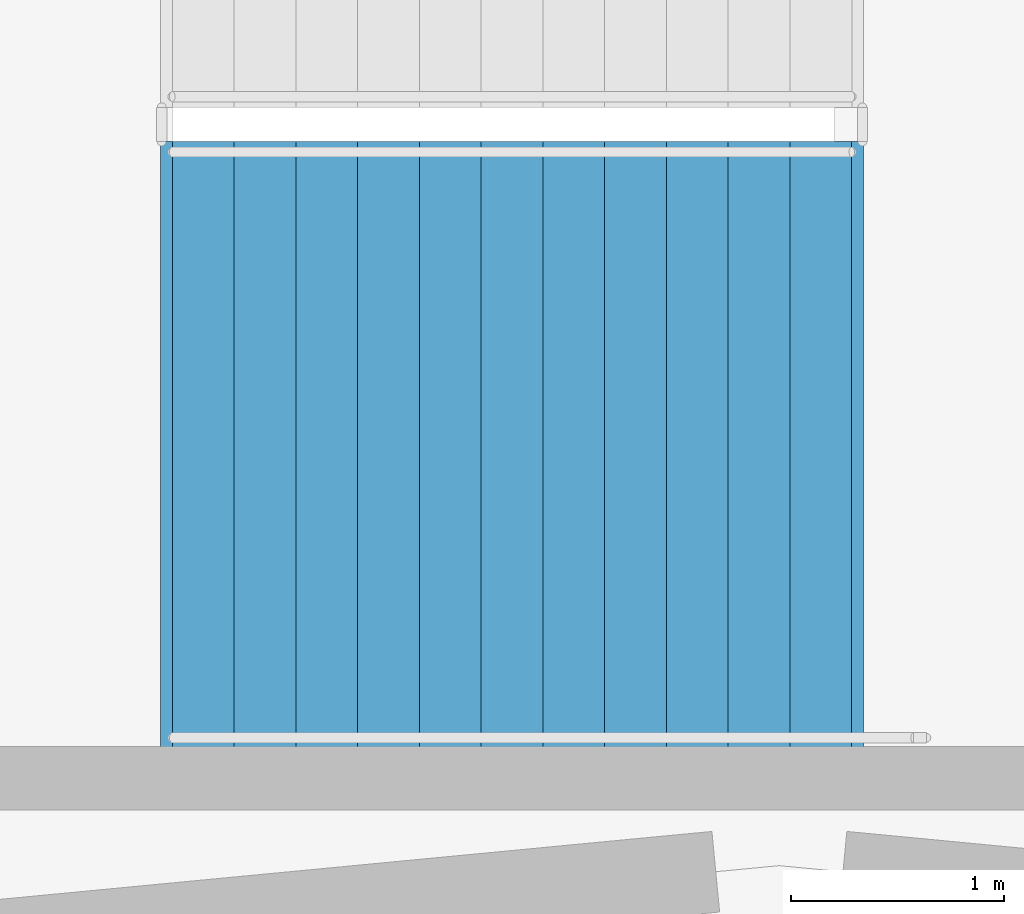
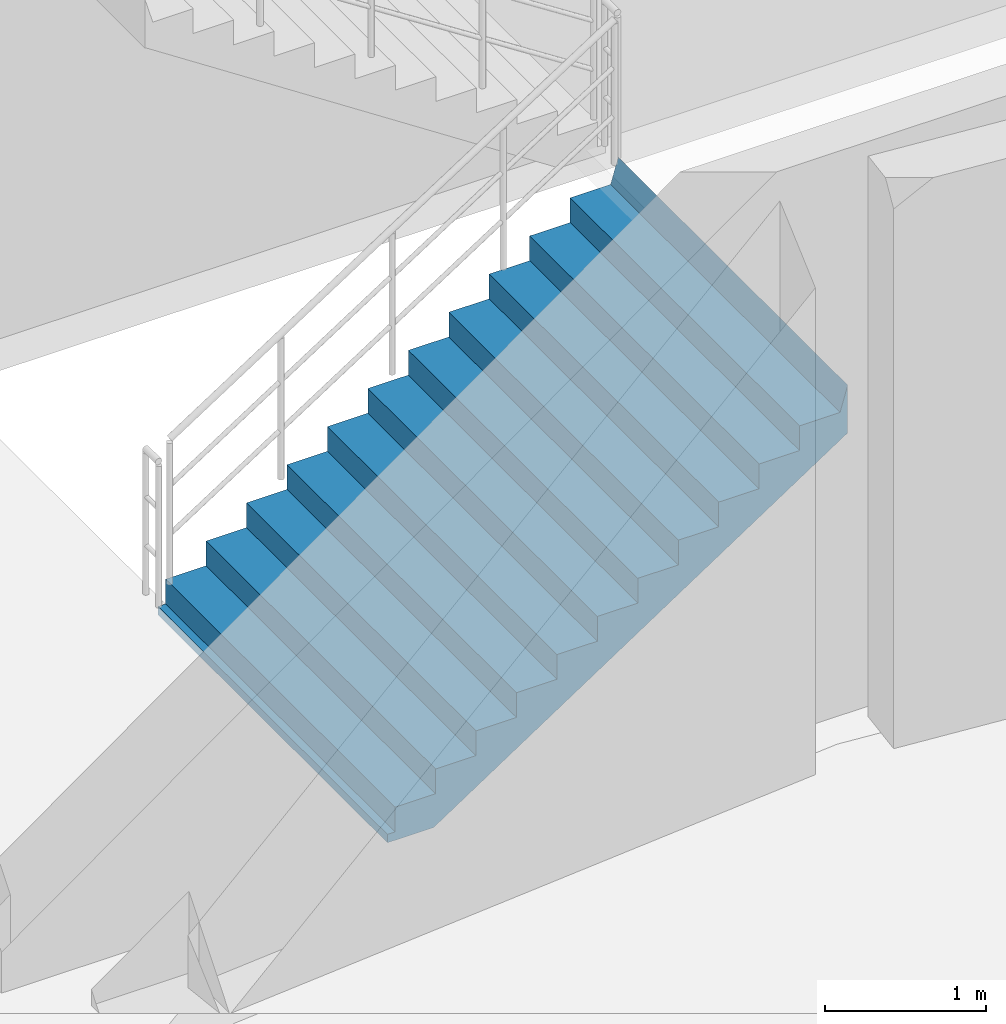
# One storey, part 33 of 45: 1 stair flight, 1 element without a shape of its own.
"""IFC4 building model written with IfcOpenShell, lengths in metres."""

import ifcopenshell
import ifcopenshell.guid

model = None  # the IFC model being written
_history = None  # IfcOwnerHistory: only IFC2X3 demands one
_inside = {}  # id of a spatial element -> (the spatial element, [elements in it])
_under = {}  # id of a project, library or spatial element -> (it, [spatial elements below it])
_declared = {}  # id of a project -> (the project, [libraries it declares])
_typed = {}  # id of a type object -> (the type object, [elements of that type])
_made_of = {}  # id of a material, layer set ... -> (it, [elements and type objects made of it])


def new_model(schema):
    """Start an empty IFC model of exactly this schema.

    Asked for "IFC4X3", IfcOpenShell would pick the latest addendum, in which some entities
    have other attributes; the version numbers below select the first issue.
    IFC2X3 requires an IfcOwnerHistory on every rooted entity: one is made here for all.
    """
    global model, _history
    if schema == "IFC4X3":
        model = ifcopenshell.file(schema_version=(4, 3, 0, 0))
    else:
        model = ifcopenshell.file(schema=schema)
    _inside.clear()
    _under.clear()
    _declared.clear()
    _typed.clear()
    _made_of.clear()
    _history = None
    if model.schema == "IFC2X3":
        org = make("IfcOrganization", Name="unknown")
        user = make(
            "IfcPersonAndOrganization",
            ThePerson=make("IfcPerson", FamilyName="unknown"),
            TheOrganization=org,
        )
        app = make(
            "IfcApplication",
            ApplicationDeveloper=org,
            Version="unknown",
            ApplicationFullName="unknown",
            ApplicationIdentifier="unknown",
        )
        _history = make(
            "IfcOwnerHistory",
            OwningUser=user,
            OwningApplication=app,
            ChangeAction="ADDED",
            CreationDate=0,
        )
    return model


def make(cls, **values):
    """One entity of the class cls with the attributes given. An attribute that is None is left unset."""
    return model.create_entity(
        cls, **{name: value for name, value in values.items() if value is not None}
    )


def rooted(cls, **values):
    """An entity with a GlobalId (a new one), such as an element, a storey or a relation."""
    return make(cls, GlobalId=ifcopenshell.guid.new(), OwnerHistory=_history, **values)


def si_unit(unit_type, name, prefix=None):
    """IfcSIUnit, for example si_unit("LENGTHUNIT", "METRE", prefix="MILLI")."""
    return make("IfcSIUnit", UnitType=unit_type, Prefix=prefix, Name=name)


def assignment(units):
    """IfcUnitAssignment: the units of a project."""
    return None if units is None else make("IfcUnitAssignment", Units=units)


def point(xyz):
    """IfcCartesianPoint."""
    return None if xyz is None else make("IfcCartesianPoint", Coordinates=xyz)


def direction(xyz):
    """IfcDirection."""
    return None if xyz is None else make("IfcDirection", DirectionRatios=xyz)


def frame(location, z_axis=None, x_axis=None):
    """IfcAxis2Placement3D, a coordinate frame: its origin and axes. An axis left out is left unset."""
    return make(
        "IfcAxis2Placement3D",
        Location=point(location),
        Axis=direction(z_axis),
        RefDirection=direction(x_axis),
    )


def origin():
    """The frame at (0, 0, 0) with its axes left unset."""
    return frame((0.0, 0.0, 0.0))


def place(relative_to, where):
    """IfcLocalPlacement: puts the frame where relative to a parent placement (None: the world)."""
    return make(
        "IfcLocalPlacement", PlacementRelTo=relative_to, RelativePlacement=where
    )


def context(
    kind, dimensions, precision=None, world=None, true_north=None, identifier=None
):
    """IfcGeometricRepresentationContext, for example the 3D "Model" context."""
    return make(
        "IfcGeometricRepresentationContext",
        ContextIdentifier=identifier,
        ContextType=kind,
        CoordinateSpaceDimension=dimensions,
        Precision=precision,
        WorldCoordinateSystem=world,
        TrueNorth=true_north,
    )


def subcontext(parent, identifier, kind, view, scale=None):
    """IfcGeometricRepresentationSubContext, for example "Body" below "Model"."""
    return make(
        "IfcGeometricRepresentationSubContext",
        ContextIdentifier=identifier,
        ContextType=kind,
        ParentContext=parent,
        TargetScale=scale,
        TargetView=view,
    )


def project(units=None, contexts=None):
    """IfcProject with its units and contexts."""
    return rooted(
        "IfcProject",
        Name="project",
        RepresentationContexts=contexts,
        UnitsInContext=assignment(units),
    )


def spatial(cls, under=None, at=None, **own):
    """A site, building, storey or space (cls), placed at a placement, below another one or the project."""
    s = rooted(cls, ObjectPlacement=at, **own)
    if under is not None:
        _under.setdefault(under.id(), (under, []))[1].append(s)
    return s


def polyline(points):
    """IfcPolyline through the points."""
    return make("IfcPolyline", Points=[point(p) for p in points])


def outline(outer, holes=None, kind="AREA"):
    """IfcArbitraryClosedProfileDef: a profile drawn as a closed curve; with holes, ...WithVoids."""
    if holes is None:
        return make("IfcArbitraryClosedProfileDef", ProfileType=kind, OuterCurve=outer)
    return make(
        "IfcArbitraryProfileDefWithVoids",
        ProfileType=kind,
        OuterCurve=outer,
        InnerCurves=holes,
    )


def extrude(swept, where, along, depth):
    """IfcExtrudedAreaSolid: the profile swept, set in the frame where, extruded along a direction by depth."""
    return make(
        "IfcExtrudedAreaSolid",
        SweptArea=swept,
        Position=where,
        ExtrudedDirection=direction(along),
        Depth=depth,
    )


def shape(context_of_items, identifier, shape_type, items):
    """IfcShapeRepresentation: the items that make up one representation, for example the "Body"."""
    return make(
        "IfcShapeRepresentation",
        ContextOfItems=context_of_items,
        RepresentationIdentifier=identifier,
        RepresentationType=shape_type,
        Items=items,
    )


def material(Name=None, Category=None):
    """IfcMaterial."""
    return make("IfcMaterial", Name=Name, Category=Category)


def made_of(thing, what):
    """Note that an element or type object is made of a material, layer set ...; save() writes the relation."""
    if what is not None:
        _made_of.setdefault(what.id(), (what, []))[1].append(thing)
    return thing


def type_object(cls, material=None, **own):
    """A type object (cls), such as IfcWallType, which elements share."""
    return made_of(rooted(cls, **own), material)


def element(
    cls,
    number,
    at=None,
    inside=None,
    cuts=None,
    type_object=None,
    material=None,
    context=None,
    identifier="Body",
    shape_type=None,
    held_by="IfcProductDefinitionShape",
    body=None,
    shapes=None,
    **own,
):
    """One element of the class cls, such as IfcWall. Its Tag is "e" and its number.

    at: its placement. inside: the storey or other place that contains it. cuts: it is an
    opening in that element (IfcRelVoidsElement). A single representation is given by context,
    identifier, shape_type and body (its items); several are given by shapes. held_by: the class
    of the entity that holds the representations. save() writes the other relations.
    """
    e = rooted(cls, Tag="e%d" % number, ObjectPlacement=at, **own)
    if body is not None:
        shapes = [shape(context, identifier, shape_type, body)]
    if shapes is not None:
        e.Representation = make(held_by, Representations=shapes)
    if inside is not None:
        _inside.setdefault(inside.id(), (inside, []))[1].append(e)
    if cuts is not None:
        rooted(
            "IfcRelVoidsElement", RelatingBuildingElement=cuts, RelatedOpeningElement=e
        )
    if type_object is not None:
        _typed.setdefault(type_object.id(), (type_object, []))[1].append(e)
    return made_of(e, material)


def aggregate(whole, parts):
    """IfcRelAggregates: a whole, such as a stair, and the parts it consists of."""
    return rooted("IfcRelAggregates", RelatingObject=whole, RelatedObjects=parts)


def save(model, path):
    """Write the relations noted so far, then the file.

    IfcRelAggregates (storeys below a building ...), IfcRelContainedInSpatialStructure (elements
    in a storey), IfcRelDefinesByType, IfcRelAssociatesMaterial and IfcRelDeclares: one each for
    every whole, place, type object, material and project.
    """
    for whole, parts in _under.values():
        aggregate(whole, parts)
    for where, things in _inside.values():
        rooted(
            "IfcRelContainedInSpatialStructure",
            RelatedElements=things,
            RelatingStructure=where,
        )
    for kind, things in _typed.values():
        rooted("IfcRelDefinesByType", RelatedObjects=things, RelatingType=kind)
    for what, things in _made_of.values():
        rooted("IfcRelAssociatesMaterial", RelatedObjects=things, RelatingMaterial=what)
    for by, libraries in _declared.values():
        rooted("IfcRelDeclares", RelatingContext=by, RelatedDefinitions=libraries)
    model.write(path)


model = new_model("IFC4")

# Units and contexts
model_context = context("Model", 3, precision=1e-05, world=origin(), true_north=direction((0.0, 1.0)))
body_context = subcontext(model_context, "Body", "Model", "MODEL_VIEW")
ifc_project = project(units=[si_unit("LENGTHUNIT", "METRE"), si_unit("AREAUNIT", "SQUARE_METRE"), si_unit("VOLUMEUNIT", "CUBIC_METRE"), si_unit("PLANEANGLEUNIT", "RADIAN"), si_unit("MASSUNIT", "GRAM", prefix="KILO")], contexts=[model_context])

# Site, building, storey
site_placement = place(None, origin())
site = spatial("IfcSite", under=ifc_project, at=site_placement, CompositionType="ELEMENT")
building_placement = place(site_placement, origin())
building = spatial("IfcBuilding", under=site, at=building_placement, Name="Cinderbank Siding Concert Hall", CompositionType="ELEMENT")
storey_placement = place(building_placement, frame((0.0, 0.0, 19.199951171875)))
storey = spatial("IfcBuildingStorey", under=building, at=storey_placement, Name="L05", CompositionType="ELEMENT", Elevation=19.199951171875)

# Stair, stair flight
ifc_material = material(Name="Reinforced concrete AS 3600 N50 (50 MPa)", Category="concrete")
stair_type = type_object("IfcStairType", Name="STR-J Dogleg Exit Stair 2850mm", PredefinedType="HALF_TURN_STAIR", material=ifc_material)
stair_placement = place(storey_placement, origin())
stair = element("IfcStair", 1, at=stair_placement, inside=storey, type_object=stair_type, Name="L05 Fire-isolated Exit Stair ST-01", PredefinedType="HALF_TURN_STAIR")
stair_flight_type = type_object("IfcStairFlightType", Name="SFL-J Concrete Stair Flight 2850mm", PredefinedType="STRAIGHT", material=ifc_material)
stair_flight_placement = place(storey_placement, frame((119.14990234375, 60.175048828125, 0.0), z_axis=(0.0, 0.0, 1.0), x_axis=(1.0, 0.0, 0.0)))
stair_flight = element("IfcStairFlight", 2, at=stair_flight_placement, type_object=stair_flight_type, Name="ST-01 flight 1", NumberOfRisers=12, NumberOfTreads=11, PredefinedType="STRAIGHT", RiserHeight=0.1875, TreadLength=0.29, context=body_context, shape_type="SweptSolid", body=[
    extrude(outline(polyline([(0.0, 0.0), (0.0, 0.1875), (0.2900390625, 0.1875), (0.2900390625, 0.375), (0.580078125, 0.375), (0.580078125, 0.5625), (0.8701171875, 0.5625), (0.8701171875, 0.75), (1.159912109375, 0.75), (1.159912109375, 0.9375), (1.449951171875, 0.9375), (1.449951171875, 1.125), (1.739990234375, 1.125), (1.739990234375, 1.3125), (2.030029296875, 1.3125), (2.030029296875, 1.5), (2.320068359375, 1.5), (2.320068359375, 1.6875), (2.610107421875, 1.6875), (2.610107421875, 1.875), (2.89990234375, 1.875), (2.89990234375, 2.0625), (3.18994140625, 2.0625), (3.244873046875, 2.25), (3.244873046875, 1.884033203125), (3.24462890625, 1.88427734375), (3.24462890625, 1.884521484375), (3.24462890625, 1.884765625), (3.24462890625, 1.885009765625), (3.24462890625, 1.88525390625), (3.24462890625, 1.885498046875), (3.24462890625, 1.8857421875), (3.24462890625, 1.885986328125), (3.24462890625, 1.88623046875), (3.24462890625, 1.886474609375), (3.24462890625, 1.88671875), (3.24462890625, 1.886962890625), (3.244384765625, 1.886962890625), (3.244384765625, 1.88671875), (3.244384765625, 1.886474609375), (3.244384765625, 1.88623046875), (3.244384765625, 1.885986328125), (3.244384765625, 1.8857421875), (3.244384765625, 1.885498046875), (3.244384765625, 1.88525390625), (3.244384765625, 1.885009765625), (3.244384765625, 1.884765625), (3.244384765625, 1.884521484375), (3.244384765625, 1.88427734375), (3.244384765625, 1.884033203125), (3.244140625, 1.88427734375), (3.244140625, 1.884521484375), (3.244140625, 1.884765625), (3.244140625, 1.885009765625), (3.244140625, 1.88525390625), (3.244140625, 1.885498046875), (3.244140625, 1.8857421875), (3.244140625, 1.885986328125), (3.244140625, 1.88623046875), (3.244140625, 1.886474609375), (3.244140625, 1.88671875), (3.244140625, 1.886962890625), (3.243896484375, 1.886962890625), (3.243896484375, 1.88671875), (3.243896484375, 1.886474609375), (3.243896484375, 1.88623046875), (3.243896484375, 1.885986328125), (3.243896484375, 1.8857421875), (3.243896484375, 1.885498046875), (3.243896484375, 1.88525390625), (3.243896484375, 1.885009765625), (3.243896484375, 1.884765625), (3.243896484375, 1.884521484375), (3.243896484375, 1.88427734375), (3.243896484375, 1.884033203125), (3.24365234375, 1.88427734375), (3.24365234375, 1.884521484375), (3.24365234375, 1.884765625), (3.24365234375, 1.885009765625), (3.24365234375, 1.88525390625), (3.24365234375, 1.885498046875), (3.24365234375, 1.8857421875), (3.24365234375, 1.885986328125), (3.24365234375, 1.88623046875), (3.24365234375, 1.886474609375), (3.24365234375, 1.88671875), (3.24365234375, 1.886962890625), (3.243408203125, 1.886962890625), (3.243408203125, 1.88671875), (3.243408203125, 1.886474609375), (3.243408203125, 1.88623046875), (3.243408203125, 1.885986328125), (3.243408203125, 1.8857421875), (3.243408203125, 1.885498046875), (3.243408203125, 1.88525390625), (3.243408203125, 1.885009765625), (3.243408203125, 1.884765625), (3.243408203125, 1.884521484375), (3.243408203125, 1.88427734375), (3.243408203125, 1.884033203125), (3.2431640625, 1.88427734375), (3.2431640625, 1.884521484375), (3.2431640625, 1.884765625), (3.2431640625, 1.885009765625), (3.2431640625, 1.88525390625), (3.2431640625, 1.885498046875), (3.2431640625, 1.8857421875), (3.2431640625, 1.885986328125), (3.2431640625, 1.88623046875), (3.2431640625, 1.886474609375), (3.2431640625, 1.88671875), (3.2431640625, 1.886962890625), (3.242919921875, 1.886962890625), (3.242919921875, 1.88671875), (3.242919921875, 1.886474609375), (3.242919921875, 1.88623046875), (3.242919921875, 1.885986328125), (3.242919921875, 1.8857421875), (3.242919921875, 1.885498046875), (3.242919921875, 1.88525390625), (3.242919921875, 1.885009765625), (3.242919921875, 1.884765625), (3.242919921875, 1.884521484375), (3.242919921875, 1.88427734375), (3.242919921875, 1.884033203125), (3.24267578125, 1.88427734375), (3.24267578125, 1.884521484375), (3.24267578125, 1.884765625), (3.24267578125, 1.885009765625), (3.24267578125, 1.88525390625), (3.24267578125, 1.885498046875), (3.24267578125, 1.8857421875), (3.24267578125, 1.885986328125), (3.24267578125, 1.88623046875), (3.24267578125, 1.886474609375), (3.24267578125, 1.88671875), (3.24267578125, 1.886962890625), (3.242431640625, 1.886962890625), (3.242431640625, 1.88671875), (3.242431640625, 1.886474609375), (3.242431640625, 1.88623046875), (3.242431640625, 1.885986328125), (3.242431640625, 1.8857421875), (3.242431640625, 1.885498046875), (3.242431640625, 1.88525390625), (3.242431640625, 1.885009765625), (3.242431640625, 1.884765625), (3.242431640625, 1.884521484375), (3.242431640625, 1.88427734375), (3.242431640625, 1.884033203125), (3.2421875, 1.88427734375), (3.2421875, 1.884521484375), (3.2421875, 1.884765625), (3.2421875, 1.885009765625), (3.2421875, 1.88525390625), (3.2421875, 1.885498046875), (3.2421875, 1.8857421875), (3.2421875, 1.885986328125), (3.2421875, 1.88623046875), (3.2421875, 1.886474609375), (3.2421875, 1.88671875), (3.2421875, 1.886962890625), (3.241943359375, 1.886962890625), (3.241943359375, 1.88671875), (3.241943359375, 1.886474609375), (3.241943359375, 1.88623046875), (3.241943359375, 1.885986328125), (3.241943359375, 1.8857421875), (3.241943359375, 1.885498046875), (3.241943359375, 1.88525390625), (3.241943359375, 1.885009765625), (3.241943359375, 1.884765625), (3.241943359375, 1.884521484375), (3.241943359375, 1.88427734375), (3.241943359375, 1.884033203125), (3.24169921875, 1.88427734375), (3.24169921875, 1.884521484375), (3.24169921875, 1.884765625), (3.24169921875, 1.885009765625), (3.24169921875, 1.88525390625), (3.24169921875, 1.885498046875), (3.24169921875, 1.8857421875), (3.24169921875, 1.885986328125), (3.24169921875, 1.88623046875), (3.24169921875, 1.886474609375), (3.24169921875, 1.88671875), (3.24169921875, 1.886962890625), (3.241455078125, 1.886962890625), (3.241455078125, 1.88671875), (3.241455078125, 1.886474609375), (3.241455078125, 1.88623046875), (3.241455078125, 1.885986328125), (3.241455078125, 1.8857421875), (3.241455078125, 1.885498046875), (3.241455078125, 1.88525390625), (3.241455078125, 1.885009765625), (3.241455078125, 1.884765625), (3.241455078125, 1.884521484375), (3.241455078125, 1.88427734375), (3.241455078125, 1.884033203125), (3.2412109375, 1.88427734375), (3.2412109375, 1.884521484375), (3.2412109375, 1.884765625), (3.2412109375, 1.885009765625), (3.2412109375, 1.88525390625), (3.2412109375, 1.885498046875), (3.2412109375, 1.8857421875), (3.2412109375, 1.885986328125), (3.2412109375, 1.88623046875), (3.2412109375, 1.886474609375), (3.2412109375, 1.88671875), (3.2412109375, 1.886962890625), (3.240966796875, 1.886962890625), (3.240966796875, 1.88671875), (3.240966796875, 1.886474609375), (3.240966796875, 1.88623046875), (3.240966796875, 1.885986328125), (3.240966796875, 1.8857421875), (3.240966796875, 1.885498046875), (3.240966796875, 1.88525390625), (3.240966796875, 1.885009765625), (3.240966796875, 1.884765625), (3.240966796875, 1.884521484375), (3.240966796875, 1.88427734375), (3.240966796875, 1.884033203125), (3.24072265625, 1.88427734375), (3.24072265625, 1.884521484375), (3.24072265625, 1.884765625), (3.24072265625, 1.885009765625), (3.24072265625, 1.88525390625), (3.24072265625, 1.885498046875), (3.24072265625, 1.8857421875), (3.24072265625, 1.885986328125), (3.24072265625, 1.88623046875), (3.24072265625, 1.886474609375), (3.24072265625, 1.88671875), (3.24072265625, 1.886962890625), (3.240478515625, 1.886962890625), (3.240478515625, 1.88671875), (3.240478515625, 1.886474609375), (3.240478515625, 1.88623046875), (3.240478515625, 1.885986328125), (3.240478515625, 1.8857421875), (3.240478515625, 1.885498046875), (3.240478515625, 1.88525390625), (3.240478515625, 1.885009765625), (3.240478515625, 1.884765625), (3.240478515625, 1.884521484375), (3.240478515625, 1.88427734375), (3.240478515625, 1.884033203125), (3.240234375, 1.88427734375), (3.240234375, 1.884521484375), (3.240234375, 1.884765625), (3.240234375, 1.885009765625), (3.240234375, 1.88525390625), (3.240234375, 1.885498046875), (3.240234375, 1.8857421875), (3.240234375, 1.885986328125), (3.240234375, 1.88623046875), (3.240234375, 1.886474609375), (3.240234375, 1.88671875), (3.240234375, 1.886962890625), (3.239990234375, 1.886962890625), (3.239990234375, 1.88671875), (3.239990234375, 1.886474609375), (3.239990234375, 1.88623046875), (3.239990234375, 1.885986328125), (3.239990234375, 1.8857421875), (3.239990234375, 1.885498046875), (3.239990234375, 1.88525390625), (3.239990234375, 1.885009765625), (3.239990234375, 1.884765625), (3.239990234375, 1.884521484375), (3.239990234375, 1.88427734375), (3.239990234375, 1.884033203125), (3.23974609375, 1.88427734375), (3.23974609375, 1.884521484375), (3.23974609375, 1.884765625), (3.23974609375, 1.885009765625), (3.23974609375, 1.88525390625), (3.23974609375, 1.885498046875), (3.23974609375, 1.8857421875), (3.23974609375, 1.885986328125), (3.23974609375, 1.88623046875), (3.23974609375, 1.886474609375), (3.23974609375, 1.88671875), (3.23974609375, 1.886962890625), (3.239501953125, 1.886962890625), (3.239501953125, 1.88671875), (3.239501953125, 1.886474609375), (3.239501953125, 1.88623046875), (3.239501953125, 1.885986328125), (3.239501953125, 1.8857421875), (3.239501953125, 1.885498046875), (3.239501953125, 1.88525390625), (3.239501953125, 1.885009765625), (3.239501953125, 1.884765625), (3.239501953125, 1.884521484375), (3.239501953125, 1.88427734375), (3.239501953125, 1.884033203125), (3.2392578125, 1.88427734375), (3.2392578125, 1.884521484375), (3.2392578125, 1.884765625), (3.2392578125, 1.885009765625), (3.2392578125, 1.88525390625), (3.2392578125, 1.885498046875), (3.2392578125, 1.8857421875), (3.2392578125, 1.885986328125), (3.2392578125, 1.88623046875), (3.2392578125, 1.886474609375), (3.2392578125, 1.88671875), (3.2392578125, 1.886962890625), (3.239013671875, 1.886962890625), (3.239013671875, 1.88671875), (3.239013671875, 1.886474609375), (3.239013671875, 1.88623046875), (3.239013671875, 1.885986328125), (3.239013671875, 1.8857421875), (3.239013671875, 1.885498046875), (3.239013671875, 1.88525390625), (3.239013671875, 1.885009765625), (3.239013671875, 1.884765625), (3.239013671875, 1.884521484375), (3.239013671875, 1.88427734375), (3.239013671875, 1.884033203125), (3.23876953125, 1.88427734375), (3.23876953125, 1.884521484375), (3.23876953125, 1.884765625), (3.23876953125, 1.885009765625), (3.23876953125, 1.88525390625), (3.23876953125, 1.885498046875), (3.23876953125, 1.8857421875), (3.23876953125, 1.885986328125), (3.23876953125, 1.88623046875), (3.23876953125, 1.886474609375), (3.23876953125, 1.88671875), (3.23876953125, 1.886962890625), (3.238525390625, 1.886962890625), (3.238525390625, 1.88671875), (3.238525390625, 1.886474609375), (3.238525390625, 1.88623046875), (3.238525390625, 1.885986328125), (3.238525390625, 1.8857421875), (3.238525390625, 1.885498046875), (3.238525390625, 1.88525390625), (3.238525390625, 1.885009765625), (3.238525390625, 1.884765625), (3.238525390625, 1.884521484375), (3.238525390625, 1.88427734375), (3.238525390625, 1.884033203125), (0.276123046875, -0.06396484375), (-0.048583984375, -0.063720703125), (-0.048583984375, -0.0634765625), (-0.048583984375, -0.063232421875), (-0.048583984375, -0.06298828125), (-0.048583984375, -0.062744140625), (-0.048583984375, -0.0625), (-0.048583984375, -0.062255859375), (-0.048583984375, -0.06201171875), (-0.048583984375, -0.061767578125), (-0.048583984375, -0.0615234375), (-0.048583984375, -0.061279296875), (-0.048583984375, -0.06103515625), (-0.048828125, -0.06103515625), (-0.048828125, -0.061279296875), (-0.048828125, -0.0615234375), (-0.048828125, -0.061767578125), (-0.048828125, -0.06201171875), (-0.048828125, -0.062255859375), (-0.048828125, -0.0625), (-0.048828125, -0.062744140625), (-0.048828125, -0.06298828125), (-0.048828125, -0.063232421875), (-0.048828125, -0.0634765625), (-0.048828125, -0.063720703125), (-0.048828125, -0.06396484375), (-0.049072265625, -0.063720703125), (-0.049072265625, -0.0634765625), (-0.049072265625, -0.063232421875), (-0.049072265625, -0.06298828125), (-0.049072265625, -0.062744140625), (-0.049072265625, -0.0625), (-0.049072265625, -0.062255859375), (-0.049072265625, -0.06201171875), (-0.049072265625, -0.061767578125), (-0.049072265625, -0.0615234375), (-0.049072265625, -0.061279296875), (-0.049072265625, -0.06103515625), (-0.04931640625, -0.06103515625), (-0.04931640625, -0.061279296875), (-0.04931640625, -0.0615234375), (-0.04931640625, -0.061767578125), (-0.04931640625, -0.06201171875), (-0.04931640625, -0.062255859375), (-0.04931640625, -0.0625), (-0.04931640625, -0.062744140625), (-0.04931640625, -0.06298828125), (-0.04931640625, -0.063232421875), (-0.04931640625, -0.0634765625), (-0.04931640625, -0.063720703125), (-0.04931640625, -0.06396484375), (-0.049560546875, -0.063720703125), (-0.049560546875, -0.0634765625), (-0.049560546875, -0.063232421875), (-0.049560546875, -0.06298828125), (-0.049560546875, -0.062744140625), (-0.049560546875, -0.0625), (-0.049560546875, -0.062255859375), (-0.049560546875, -0.06201171875), (-0.049560546875, -0.061767578125), (-0.049560546875, -0.0615234375), (-0.049560546875, -0.061279296875), (-0.049560546875, -0.06103515625), (-0.0498046875, -0.06103515625), (-0.0498046875, -0.061279296875), (-0.0498046875, -0.0615234375), (-0.0498046875, -0.061767578125), (-0.0498046875, -0.06201171875), (-0.0498046875, -0.062255859375), (-0.0498046875, -0.0625), (-0.0498046875, -0.062744140625), (-0.0498046875, -0.06298828125), (-0.0498046875, -0.063232421875), (-0.0498046875, -0.0634765625), (-0.0498046875, -0.063720703125), (-0.0498046875, -0.06396484375), (-0.050048828125, -0.063720703125), (-0.050048828125, -0.0634765625), (-0.050048828125, -0.063232421875), (-0.050048828125, -0.06298828125), (-0.050048828125, -0.062744140625), (-0.050048828125, -0.0625), (-0.050048828125, -0.062255859375), (-0.050048828125, -0.06201171875), (-0.050048828125, -0.061767578125), (-0.050048828125, -0.0615234375), (-0.050048828125, -0.061279296875), (-0.050048828125, -0.06103515625), (-0.05029296875, -0.06103515625), (-0.05029296875, -0.061279296875), (-0.05029296875, -0.0615234375), (-0.05029296875, -0.061767578125), (-0.05029296875, -0.06201171875), (-0.05029296875, -0.062255859375), (-0.05029296875, -0.0625), (-0.05029296875, -0.062744140625), (-0.05029296875, -0.06298828125), (-0.05029296875, -0.063232421875), (-0.05029296875, -0.0634765625), (-0.05029296875, -0.063720703125), (-0.05029296875, -0.06396484375), (-0.050537109375, -0.063720703125), (-0.050537109375, -0.0634765625), (-0.050537109375, -0.063232421875), (-0.050537109375, -0.06298828125), (-0.050537109375, -0.062744140625), (-0.050537109375, -0.0625), (-0.050537109375, -0.062255859375), (-0.050537109375, -0.06201171875), (-0.050537109375, -0.061767578125), (-0.050537109375, -0.0615234375), (-0.050537109375, -0.061279296875), (-0.050537109375, -0.06103515625), (-0.05078125, -0.06103515625), (-0.05078125, -0.061279296875), (-0.05078125, -0.0615234375), (-0.05078125, -0.061767578125), (-0.05078125, -0.06201171875), (-0.05078125, -0.062255859375), (-0.05078125, -0.0625), (-0.05078125, -0.062744140625), (-0.05078125, -0.06298828125), (-0.05078125, -0.063232421875), (-0.05078125, -0.0634765625), (-0.05078125, -0.063720703125), (-0.05078125, -0.06396484375), (-0.051025390625, -0.063720703125), (-0.051025390625, -0.0634765625), (-0.051025390625, -0.063232421875), (-0.051025390625, -0.06298828125), (-0.051025390625, -0.062744140625), (-0.051025390625, -0.0625), (-0.051025390625, -0.062255859375), (-0.051025390625, -0.06201171875), (-0.051025390625, -0.061767578125), (-0.051025390625, -0.0615234375), (-0.051025390625, -0.061279296875), (-0.051025390625, -0.06103515625), (-0.05126953125, -0.06103515625), (-0.05126953125, -0.061279296875), (-0.05126953125, -0.0615234375), (-0.05126953125, -0.061767578125), (-0.05126953125, -0.06201171875), (-0.05126953125, -0.062255859375), (-0.05126953125, -0.0625), (-0.05126953125, -0.062744140625), (-0.05126953125, -0.06298828125), (-0.05126953125, -0.063232421875), (-0.05126953125, -0.0634765625), (-0.05126953125, -0.063720703125), (-0.05126953125, -0.06396484375), (-0.051513671875, -0.063720703125), (-0.051513671875, -0.0634765625), (-0.051513671875, -0.063232421875), (-0.051513671875, -0.06298828125), (-0.051513671875, -0.062744140625), (-0.051513671875, -0.0625), (-0.051513671875, -0.062255859375), (-0.051513671875, -0.06201171875), (-0.051513671875, -0.061767578125), (-0.051513671875, -0.0615234375), (-0.051513671875, -0.061279296875), (-0.051513671875, -0.06103515625), (-0.0517578125, -0.06103515625), (-0.0517578125, -0.061279296875), (-0.0517578125, -0.0615234375), (-0.0517578125, -0.061767578125), (-0.0517578125, -0.06201171875), (-0.0517578125, -0.062255859375), (-0.0517578125, -0.0625), (-0.0517578125, -0.062744140625), (-0.0517578125, -0.06298828125), (-0.0517578125, -0.063232421875), (-0.0517578125, -0.0634765625), (-0.0517578125, -0.063720703125), (-0.0517578125, -0.06396484375), (-0.052001953125, -0.063720703125), (-0.052001953125, -0.0634765625), (-0.052001953125, -0.063232421875), (-0.052001953125, -0.06298828125), (-0.052001953125, -0.062744140625), (-0.052001953125, -0.0625), (-0.052001953125, -0.062255859375), (-0.052001953125, -0.06201171875), (-0.052001953125, -0.061767578125), (-0.052001953125, -0.0615234375), (-0.052001953125, -0.061279296875), (-0.052001953125, -0.06103515625), (-0.05224609375, -0.06103515625), (-0.05224609375, -0.061279296875), (-0.05224609375, -0.0615234375), (-0.05224609375, -0.061767578125), (-0.05224609375, -0.06201171875), (-0.05224609375, -0.062255859375), (-0.05224609375, -0.0625), (-0.05224609375, -0.062744140625), (-0.05224609375, -0.06298828125), (-0.05224609375, -0.063232421875), (-0.05224609375, -0.0634765625), (-0.05224609375, -0.063720703125), (-0.05224609375, -0.06396484375), (-0.052490234375, -0.063720703125), (-0.052490234375, -0.0634765625), (-0.052490234375, -0.063232421875), (-0.052490234375, -0.06298828125), (-0.052490234375, -0.062744140625), (-0.052490234375, -0.0625), (-0.052490234375, -0.062255859375), (-0.052490234375, -0.06201171875), (-0.052490234375, -0.061767578125), (-0.052490234375, -0.0615234375), (-0.052490234375, -0.061279296875), (-0.052490234375, -0.06103515625), (-0.052734375, -0.06103515625), (-0.052734375, -0.061279296875), (-0.052734375, -0.0615234375), (-0.052734375, -0.061767578125), (-0.052734375, -0.06201171875), (-0.052734375, -0.062255859375), (-0.052734375, -0.0625), (-0.052734375, -0.062744140625), (-0.052734375, -0.06298828125), (-0.052734375, -0.063232421875), (-0.052734375, -0.0634765625), (-0.052734375, -0.063720703125), (-0.052734375, -0.06396484375), (-0.052978515625, -0.063720703125), (-0.052978515625, -0.0634765625), (-0.052978515625, -0.063232421875), (-0.052978515625, -0.06298828125), (-0.052978515625, -0.062744140625), (-0.052978515625, -0.0625), (-0.052978515625, -0.062255859375), (-0.052978515625, -0.06201171875), (-0.052978515625, -0.061767578125), (-0.052978515625, -0.0615234375), (-0.052978515625, -0.061279296875), (-0.052978515625, -0.06103515625), (-0.05322265625, -0.06103515625), (-0.05322265625, -0.061279296875), (-0.05322265625, -0.0615234375), (-0.05322265625, -0.061767578125), (-0.05322265625, -0.06201171875), (-0.05322265625, -0.062255859375), (-0.05322265625, -0.0625), (-0.05322265625, -0.062744140625), (-0.05322265625, -0.06298828125), (-0.05322265625, -0.063232421875), (-0.05322265625, -0.0634765625), (-0.05322265625, -0.063720703125), (-0.05322265625, -0.06396484375), (-0.053466796875, -0.063720703125), (-0.053466796875, -0.0634765625), (-0.053466796875, -0.063232421875), (-0.053466796875, -0.06298828125), (-0.053466796875, -0.062744140625), (-0.053466796875, -0.0625), (-0.053466796875, -0.062255859375), (-0.053466796875, -0.06201171875), (-0.053466796875, -0.061767578125), (-0.053466796875, -0.0615234375), (-0.053466796875, -0.061279296875), (-0.053466796875, -0.06103515625), (-0.0537109375, -0.06103515625), (-0.0537109375, -0.061279296875), (-0.0537109375, -0.0615234375), (-0.0537109375, -0.061767578125), (-0.0537109375, -0.06201171875), (-0.0537109375, -0.062255859375), (-0.0537109375, -0.0625), (-0.0537109375, -0.062744140625), (-0.0537109375, -0.06298828125), (-0.0537109375, -0.063232421875), (-0.0537109375, -0.0634765625), (-0.0537109375, -0.063720703125), (-0.0537109375, -0.06396484375), (-0.053955078125, -0.063720703125), (-0.053955078125, -0.0634765625), (-0.053955078125, -0.063232421875), (-0.053955078125, -0.06298828125), (-0.053955078125, -0.062744140625), (-0.053955078125, -0.0625), (-0.053955078125, -0.062255859375), (-0.053955078125, -0.06201171875), (-0.053955078125, -0.061767578125), (-0.053955078125, -0.0615234375), (-0.053955078125, -0.061279296875), (-0.053955078125, -0.06103515625), (-0.05419921875, -0.06103515625), (-0.05419921875, -0.061279296875), (-0.05419921875, -0.0615234375), (-0.05419921875, -0.061767578125), (-0.05419921875, -0.06201171875), (-0.05419921875, -0.062255859375), (-0.05419921875, -0.0625), (-0.05419921875, -0.062744140625), (-0.05419921875, -0.06298828125), (-0.05419921875, -0.063232421875), (-0.05419921875, -0.0634765625), (-0.05419921875, -0.063720703125), (-0.05419921875, -0.06396484375), (-0.054443359375, -0.063720703125), (-0.054443359375, -0.0634765625), (-0.054443359375, -0.063232421875), (-0.054443359375, -0.06298828125), (-0.054443359375, -0.062744140625), (-0.054443359375, -0.0625), (-0.054443359375, -0.062255859375), (-0.054443359375, -0.06201171875), (-0.054443359375, -0.061767578125), (-0.054443359375, -0.0615234375), (-0.054443359375, -0.061279296875), (-0.054443359375, -0.06103515625), (-0.0546875, -0.06103515625), (-0.0546875, -0.061279296875), (-0.0546875, -0.0615234375), (-0.0546875, -0.061767578125), (-0.0546875, -0.06201171875), (-0.0546875, -0.062255859375), (-0.0546875, -0.0625), (-0.0546875, -0.062744140625), (-0.0546875, -0.06298828125), (-0.0546875, -0.063232421875), (-0.0546875, -0.0634765625), (-0.0546875, -0.063720703125), (-0.0546875, -0.06396484375), (-0.054931640625, -0.06396484375), (-0.054931640625, 0.0), (0.0, 0.0)])), frame((0.0, 1.425048828125, 0.0), z_axis=(0.0, -1.0, 0.0), x_axis=(1.0, 0.0, 0.0)), (0.0, 0.0, 1.0), 2.85009765625),
])
aggregate(stair, [stair_flight])

save(model, "model.ifc")
